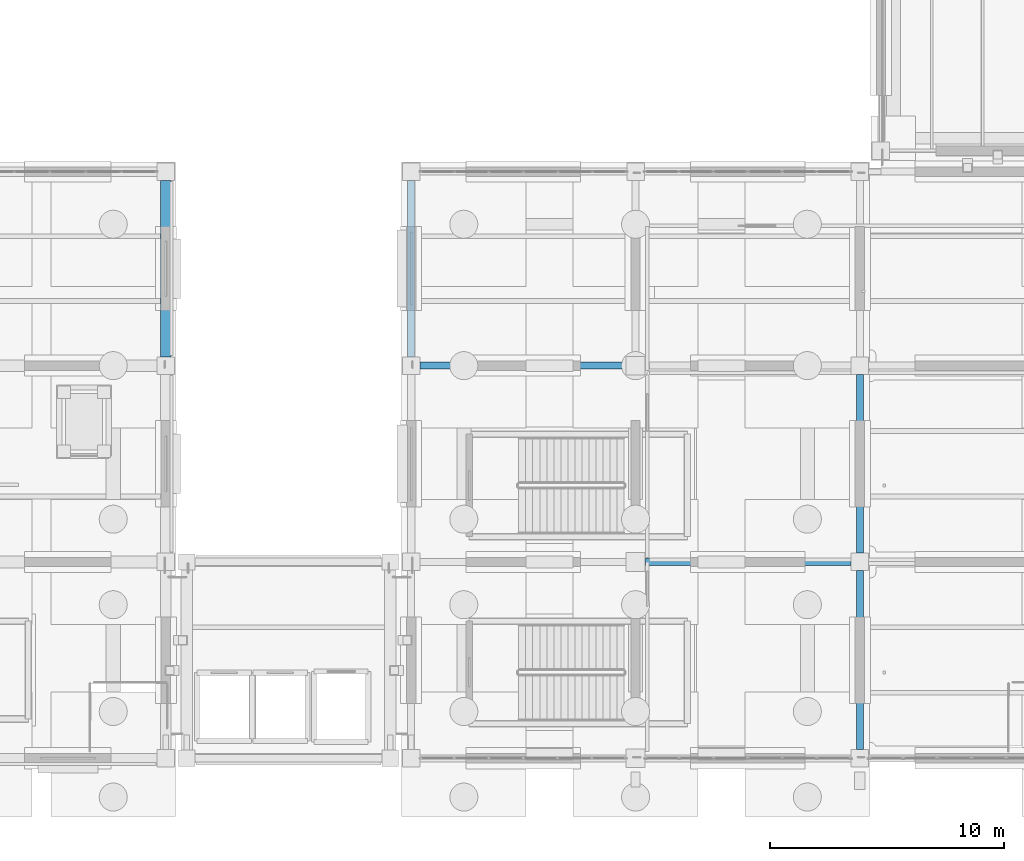
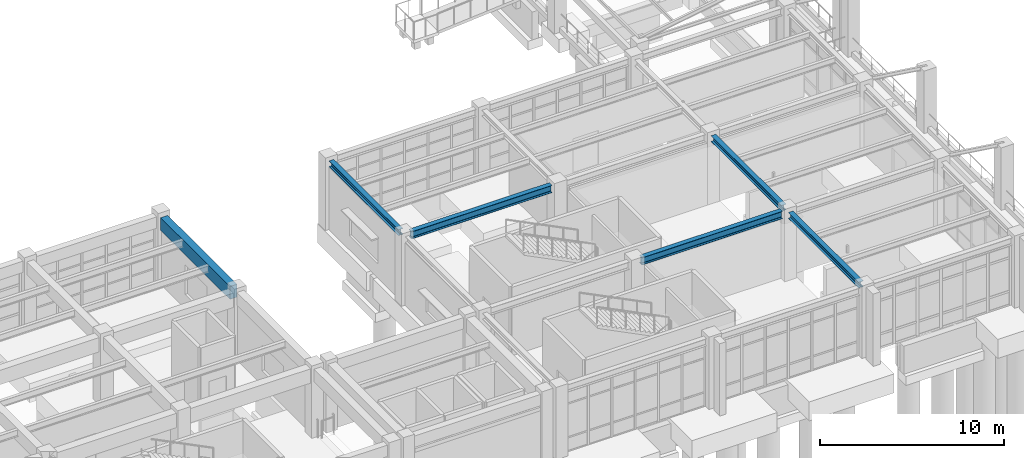
# One storey, part 46 of 111: 6 beams.
"""IFC4 building model written with IfcOpenShell, lengths in metres."""

from ifc_helpers import new_model, si_unit, direction, frame, origin, origin_2d, place, context, subcontext, project, spatial, rectangle, i_section, extrude, material, material_profile, profile_set, type_object, element, save


model = new_model("IFC4")

# Units and contexts
model_context = context("Model", 3, precision=1e-05, world=origin(), true_north=direction((0.0, 1.0)))
body_context = subcontext(model_context, "Body", "Model", "MODEL_VIEW")
ifc_project = project(units=[si_unit("LENGTHUNIT", "METRE"), si_unit("AREAUNIT", "SQUARE_METRE"), si_unit("VOLUMEUNIT", "CUBIC_METRE"), si_unit("PLANEANGLEUNIT", "RADIAN"), si_unit("MASSUNIT", "GRAM", prefix="KILO")], contexts=[model_context])

# Site, building, storey
site_placement = place(None, origin())
site = spatial("IfcSite", under=ifc_project, at=site_placement, CompositionType="ELEMENT")
building_placement = place(site_placement, origin())
building = spatial("IfcBuilding", under=site, at=building_placement, Name="Canglan Escarpment Cableway Terminal", CompositionType="ELEMENT")
storey_placement = place(building_placement, frame((0.0, 0.0, 4.800048828125)))
storey = spatial("IfcBuildingStorey", under=building, at=storey_placement, Name="L01", CompositionType="ELEMENT", Elevation=4.800048828125)

# Beams
ifc_material_1 = material(Name="Steel Q355B", Category="steel")
ifc_material_profile_1 = material_profile(ifc_material_1, i_section(OverallWidth=0.300048828125, OverallDepth=0.389892578125, WebThickness=0.010009765625, FlangeThickness=0.01611328125, FilletRadius=0.02197265625, at=origin_2d()), Name="HM 390x300x10x16")
ifc_profile_set_1 = profile_set([ifc_material_profile_1], Name="Steel Q355B")
beam_type_1 = type_object("IfcBeamType", Name="BM-ARCH-TOP-HM390", PredefinedType="BEAM", material=ifc_profile_set_1)
beam_1_placement = place(storey_placement, frame((147.199951171875, 25.175048828125, 4.35498046875), z_axis=(0.0, 1.0, 0.0), x_axis=(-1.0, 0.0, 0.0)))
element("IfcBeam", 1, at=beam_1_placement, inside=storey, type_object=beam_type_1, Name="Primary transverse girder AR-TC1", PredefinedType="BEAM", context=body_context, shape_type="SweptSolid", body=[
    extrude(i_section(OverallWidth=0.300048828125, OverallDepth=0.389892578125, WebThickness=0.010009765625, FlangeThickness=0.01611328125, FilletRadius=0.02197265625, at=origin_2d()), origin(), (0.0, 0.0, 1.0), 7.550048828125),
])
beam_2_placement = place(storey_placement, frame((166.39990234375, 8.375, 4.3349609375), z_axis=(0.0, 1.0, 0.0), x_axis=(-1.0, 0.0, 0.0)))
element("IfcBeam", 2, at=beam_2_placement, inside=storey, type_object=beam_type_1, Name="Primary transverse girder AR-TC1", PredefinedType="BEAM", context=body_context, shape_type="SweptSolid", body=[
    extrude(i_section(OverallWidth=0.300048828125, OverallDepth=0.389892578125, WebThickness=0.010009765625, FlangeThickness=0.01611328125, FilletRadius=0.02197265625, at=origin_2d()), origin(), (0.0, 0.0, 1.0), 7.64990234375),
])
beam_3_placement = place(storey_placement, frame((166.39990234375, 16.77490234375, 4.3349609375), z_axis=(0.0, 1.0, 0.0), x_axis=(-1.0, 0.0, 0.0)))
element("IfcBeam", 3, at=beam_3_placement, inside=storey, type_object=beam_type_1, Name="Primary transverse girder AR-TC1", PredefinedType="BEAM", context=body_context, shape_type="SweptSolid", body=[
    extrude(i_section(OverallWidth=0.300048828125, OverallDepth=0.389892578125, WebThickness=0.010009765625, FlangeThickness=0.01611328125, FilletRadius=0.02197265625, at=origin_2d()), origin(), (0.0, 0.0, 1.0), 7.650146484375),
])
ifc_material_profile_2 = material_profile(ifc_material_1, i_section(OverallWidth=0.300048828125, OverallDepth=0.488037109375, WebThickness=0.010986328125, FlangeThickness=0.01806640625, FilletRadius=0.02587890625, at=origin_2d()), Name="HM 488x300x11x18")
ifc_profile_set_2 = profile_set([ifc_material_profile_2], Name="Steel Q355B")
beam_type_2 = type_object("IfcBeamType", Name="BM-HM488", PredefinedType="BEAM", material=ifc_profile_set_2)
for number, where, z_axis, x_axis, name in (
    (4, (157.199951171875, 16.39990234375, 4.305908203125), (1.0, 0.0, 0.0), (0.0, 1.0, 0.0), "Primary structural girder B-09"),
    (5, (147.574951171875, 24.800048828125, 4.305908203125), (1.0, 0.0, 0.0), (0.0, 1.0, 0.0), "Primary structural girder B-09"),
):
    element("IfcBeam", number, at=place(storey_placement, frame(where, z_axis=z_axis, x_axis=x_axis)), inside=storey, type_object=beam_type_2, Name=name, PredefinedType="BEAM", context=body_context, shape_type="SweptSolid", body=[
        extrude(i_section(OverallWidth=0.300048828125, OverallDepth=0.488037109375, WebThickness=0.010986328125, FlangeThickness=0.01806640625, FilletRadius=0.02587890625, at=origin_2d()), origin(), (0.0, 0.0, 1.0), 8.824951171875),
    ])
ifc_material_2 = material(Name="Concrete C40", Category="concrete")
ifc_material_profile_3 = material_profile(ifc_material_2, rectangle(XDim=0.449951171875, YDim=0.85009765625, at=origin_2d()), Name="RC 450x850")
ifc_profile_set_3 = profile_set([ifc_material_profile_3], Name="Concrete C40")
beam_type_3 = type_object("IfcBeamType", Name="BM-RC450x850", PredefinedType="BEAM", material=ifc_profile_set_3)
beam_4_placement = place(storey_placement, frame((136.699951171875, 25.175048828125, 4.054931640625), z_axis=(0.0, 1.0, 0.0), x_axis=(-1.0, 0.0, 0.0)))
element("IfcBeam", 6, at=beam_4_placement, inside=storey, type_object=beam_type_3, Name="Primary transverse girder B-02", PredefinedType="BEAM", context=body_context, shape_type="SweptSolid", body=[
    extrude(rectangle(XDim=0.449951171875, YDim=0.85009765625, at=origin_2d()), origin(), (0.0, 0.0, 1.0), 7.550048828125),
])

save(model, "model.ifc")
